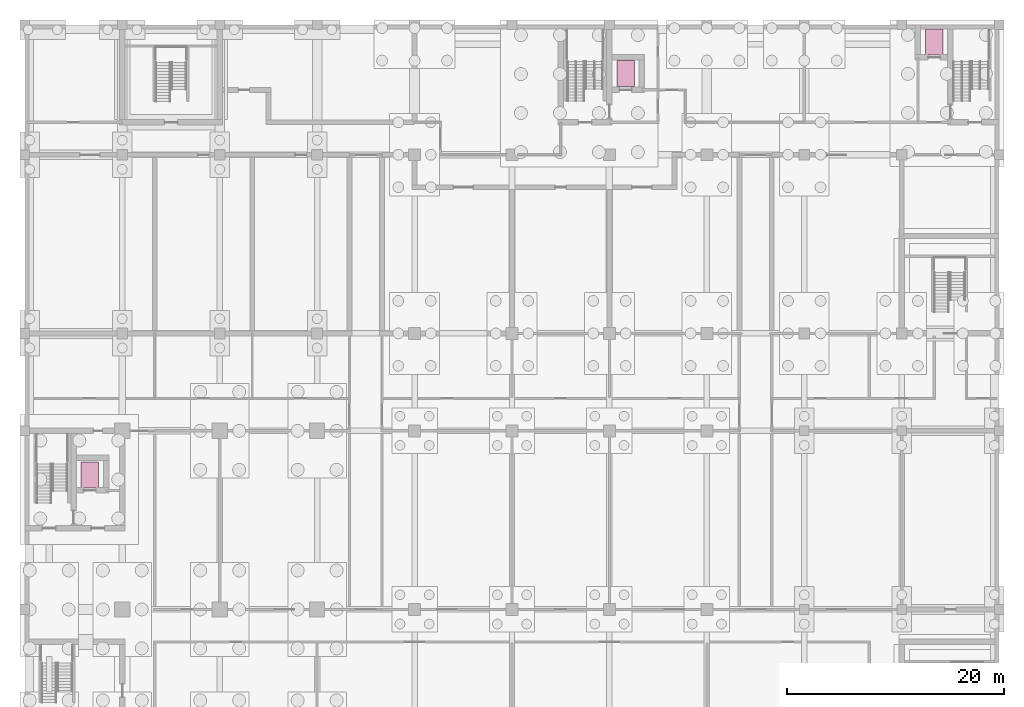
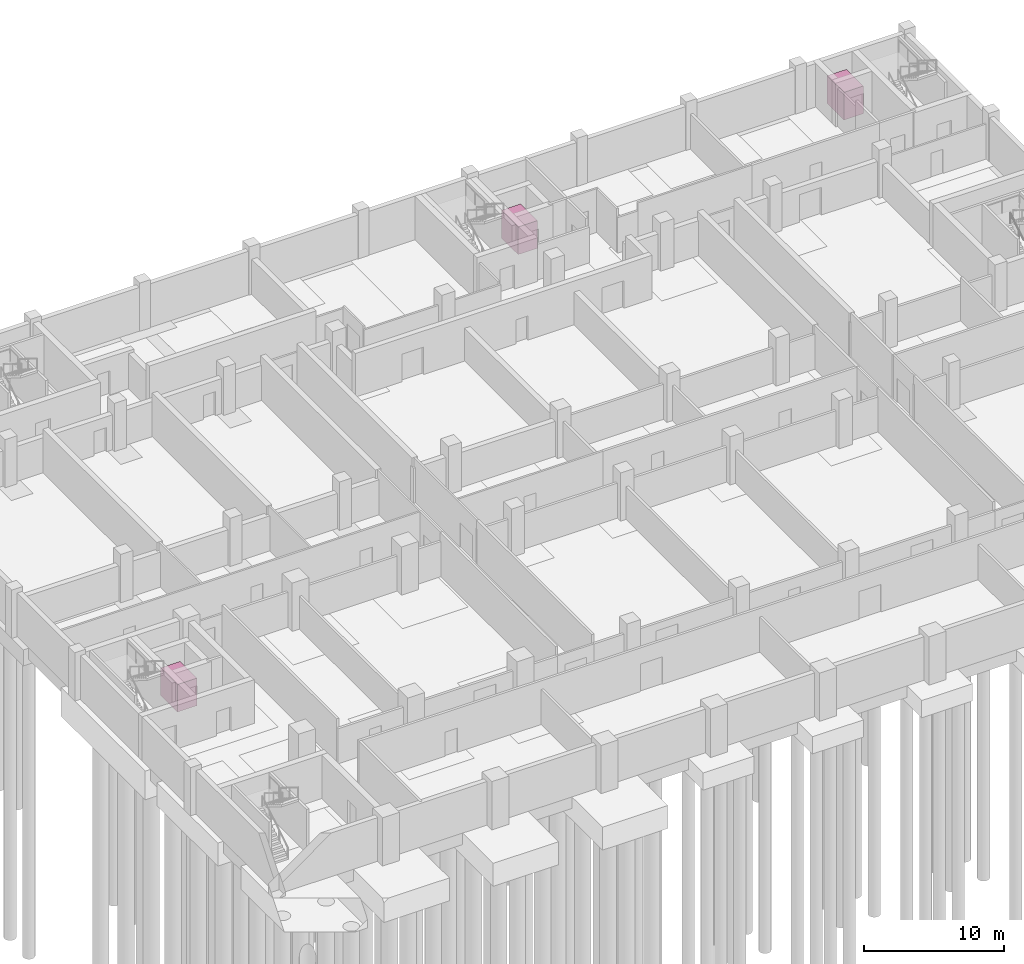
# One storey, part 15 of 15: 3 transport elements.
"""IFC4 building model written with IfcOpenShell, lengths in metres."""

from ifc_helpers import new_model, si_unit, direction, frame, origin, origin_2d, place, context, subcontext, project, spatial, rectangle, extrude, material, type_object, element, save


model = new_model("IFC4")

# Units and contexts
model_context = context("Model", 3, precision=1e-05, world=origin(), true_north=direction((0.0, 1.0)))
body_context = subcontext(model_context, "Body", "Model", "MODEL_VIEW")
ifc_project = project(units=[si_unit("LENGTHUNIT", "METRE"), si_unit("AREAUNIT", "SQUARE_METRE"), si_unit("VOLUMEUNIT", "CUBIC_METRE"), si_unit("PLANEANGLEUNIT", "RADIAN"), si_unit("MASSUNIT", "GRAM", prefix="KILO")], contexts=[model_context])

# Site, building, storey
site_placement = place(None, origin())
site = spatial("IfcSite", under=ifc_project, at=site_placement, CompositionType="ELEMENT")
building_placement = place(site_placement, origin())
building = spatial("IfcBuilding", under=site, at=building_placement, Name="Aurelan Courthouse", CompositionType="ELEMENT")
storey_placement = place(building_placement, frame((0.0, 0.0, -8.39990234375)))
storey = spatial("IfcBuildingStorey", under=building, at=storey_placement, Name="B2", CompositionType="ELEMENT", Elevation=-8.39990234375)

# Transport elements
ifc_material = material(Name="Steel", Category="steel")
transport_element_type = type_object("IfcTransportElementType", Name="Passenger lift car 1600 x 2400 1800 kg", PredefinedType="ELEVATOR", material=ifc_material)
for number, where, z_axis, x_axis, name in (
    (1, (55.5, 61.52490234375, 0.0), (0.0, 0.0, 1.0), (1.0, 0.0, 0.0), "Lift V2-F1"),
    (2, (84.0, 64.39990234375, 0.0), (0.0, 0.0, 1.0), (1.0, 0.0, 0.0), "Lift V3-F1"),
    (3, (6.0, 24.39990234375, 0.0), (0.0, 0.0, 1.0), (1.0, 0.0, 0.0), "Lift V5-F1"),
):
    element("IfcTransportElement", number, at=place(storey_placement, frame(where, z_axis=z_axis, x_axis=x_axis)), inside=storey, type_object=transport_element_type, Name=name, PredefinedType="ELEVATOR", context=body_context, shape_type="SweptSolid", body=[
        extrude(rectangle(XDim=1.60009765625, YDim=2.39990234375, at=origin_2d()), origin(), (0.0, 0.0, 1.0), 2.39990234375),
    ])

save(model, "model.ifc")
